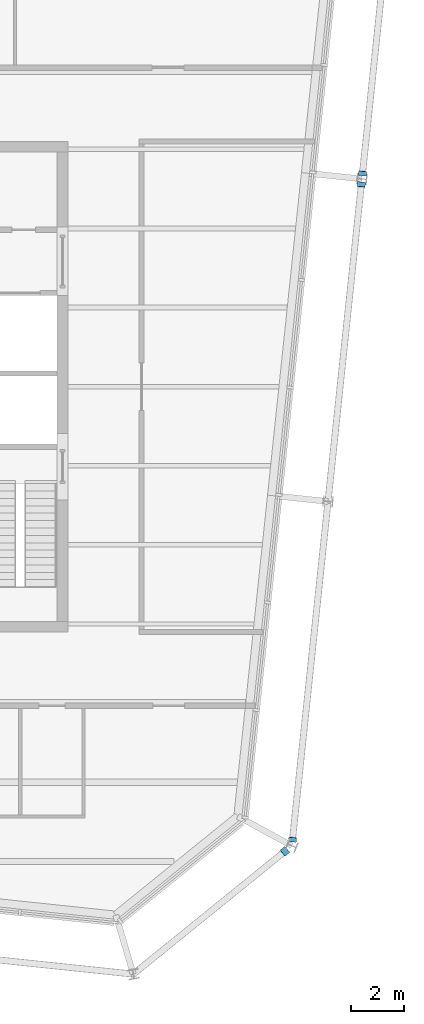
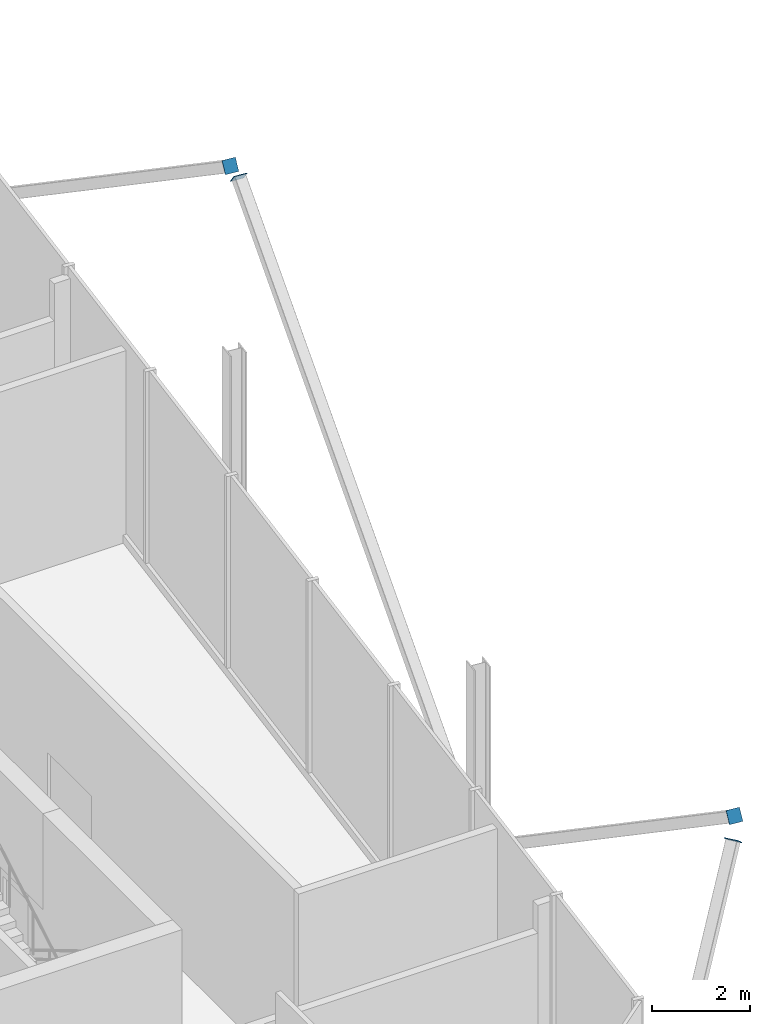
# One storey, part 13 of 15: 4 discrete accessories.
"""IFC4 building model written with IfcOpenShell, lengths in metres."""

from ifc_helpers import new_model, si_unit, direction, frame, origin, origin_2d, place, context, subcontext, project, spatial, rectangle, extrude, material, layer, layer_set, type_object, element, save


model = new_model("IFC4")

# Units and contexts
model_context = context("Model", 3, precision=1e-05, world=origin(), true_north=direction((0.0, 1.0)))
body_context = subcontext(model_context, "Body", "Model", "MODEL_VIEW")
ifc_project = project(units=[si_unit("LENGTHUNIT", "METRE"), si_unit("AREAUNIT", "SQUARE_METRE"), si_unit("VOLUMEUNIT", "CUBIC_METRE"), si_unit("PLANEANGLEUNIT", "RADIAN"), si_unit("MASSUNIT", "GRAM", prefix="KILO")], contexts=[model_context])

# Site, building, storey
site_placement = place(None, origin())
site = spatial("IfcSite", under=ifc_project, at=site_placement, CompositionType="ELEMENT")
building_placement = place(site_placement, origin())
building = spatial("IfcBuilding", under=site, at=building_placement, Name="Millrace Tower", CompositionType="ELEMENT")
storey_placement = place(building_placement, frame((0.0, 0.0, 352.10009765625)))
storey = spatial("IfcBuildingStorey", under=building, at=storey_placement, Name="L81", CompositionType="ELEMENT", Elevation=352.10009765625)

# Discrete accessories
ifc_material = material(Name="Steel ASTM A36", Category="steel")
ifc_layer = layer(ifc_material, 0.011962890625)
ifc_layer_set = layer_set([ifc_layer], Name="Steel ASTM A36")
discrete_accessory_type = type_object("IfcDiscreteAccessoryType", Name="Hollow section end plate 300", PredefinedType="BRACKET", material=ifc_layer_set)
discrete_accessory_placement = place(storey_placement, frame((22.53369140625, -17.625, 9.193603515625), z_axis=(0.495609723339, 0.413008102782, 0.764064990147), x_axis=(-0.640184399664, 0.768221279597, 0.0)))
element("IfcDiscreteAccessory", 1, at=discrete_accessory_placement, inside=storey, type_object=discrete_accessory_type, Name="Exoskeleton brace head end plate CROWN-L81-02", PredefinedType="BRACKET", context=body_context, shape_type="SweptSolid", body=[
    extrude(rectangle(XDim=0.300048828125, YDim=0.300048828125, at=origin_2d()), origin(), (0.0, 0.0, 1.0), 0.01171875),
])
for number, where, z_axis, x_axis, name in (
    (2, (22.823974609375, -17.17529296875, 9.4345703125), (-0.081649658093, -0.816496580928, 0.571547606649), (0.99503719021, -0.099503719021, 0.0), "Exoskeleton brace head end plate CROWN-L81-03"),
    (3, (25.434814453125, 7.6650390625, 9.438720703125), (0.081027460302, 0.790017737941, 0.607705952262), (-0.994781438611, 0.102028865499, 0.0), "Exoskeleton brace head end plate CROWN-L81-04"),
    (4, (25.479736328125, 8.093505859375, 9.448974609375), (-0.081649658093, -0.816496580928, 0.571547606649), (0.99503719021, -0.099503719021, 0.0), "Exoskeleton brace head end plate CROWN-L81-05"),
):
    element("IfcDiscreteAccessory", number, at=place(storey_placement, frame(where, z_axis=z_axis, x_axis=x_axis)), inside=storey, type_object=discrete_accessory_type, Name=name, PredefinedType="BRACKET", context=body_context, shape_type="SweptSolid", body=[
        extrude(rectangle(XDim=0.300048828125, YDim=0.300048828125, at=origin_2d()), origin(), (0.0, 0.0, 1.0), 0.011962890625),
    ])

save(model, "model.ifc")
